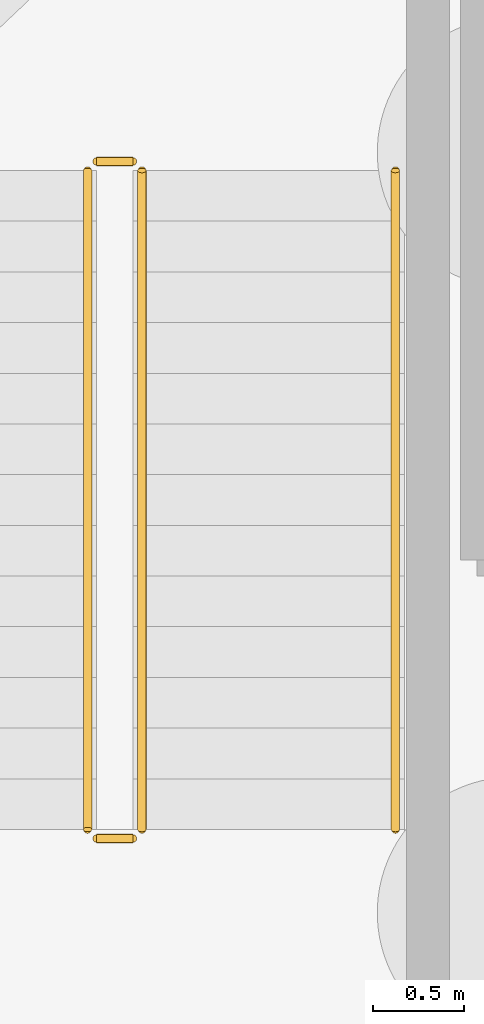
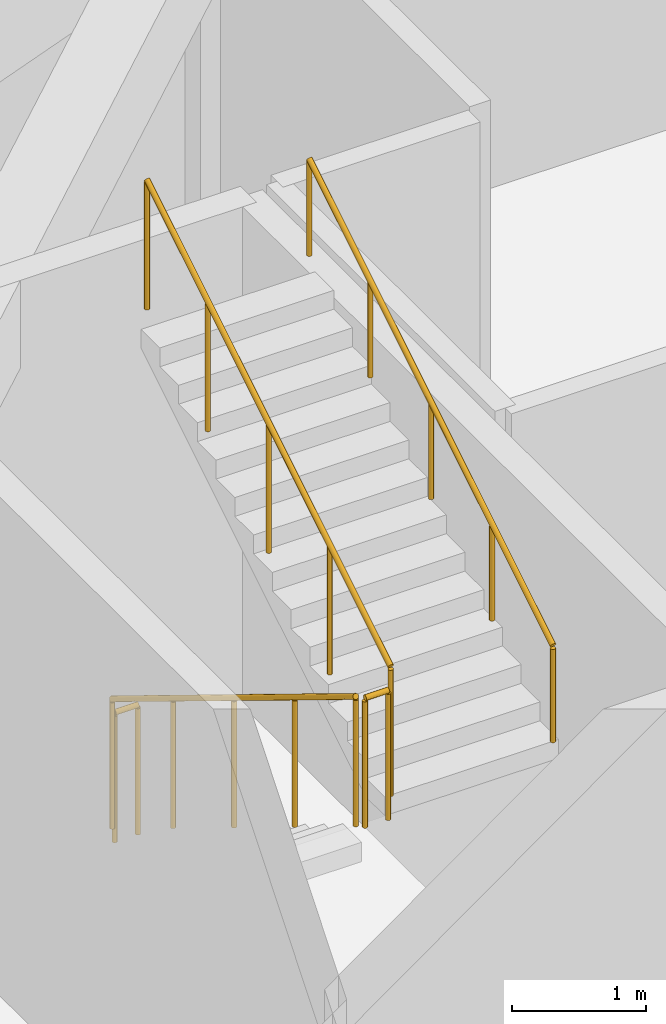
# One storey, part 10 of 11: 5 railings.
"""IFC4 building model written with IfcOpenShell, lengths in metres."""

from ifc_helpers import new_model, si_unit, direction, frame, origin, origin_2d, place, context, subcontext, project, spatial, circle, extrude, material, type_object, element, save


model = new_model("IFC4")

# Units and contexts
model_context = context("Model", 3, precision=1e-05, world=origin(), true_north=direction((0.0, 1.0)))
body_context = subcontext(model_context, "Body", "Model", "MODEL_VIEW")
ifc_project = project(units=[si_unit("LENGTHUNIT", "METRE"), si_unit("AREAUNIT", "SQUARE_METRE"), si_unit("VOLUMEUNIT", "CUBIC_METRE"), si_unit("PLANEANGLEUNIT", "RADIAN"), si_unit("MASSUNIT", "GRAM", prefix="KILO")], contexts=[model_context])

# Site, building, storey
site_placement = place(None, origin())
site = spatial("IfcSite", under=ifc_project, at=site_placement, CompositionType="ELEMENT")
building_placement = place(site_placement, origin())
building = spatial("IfcBuilding", under=site, at=building_placement, Name="Gaonmaruhae Medical Tower", CompositionType="ELEMENT")
storey_placement = place(building_placement, frame((0.0, 0.0, -9.60009765625)))
storey = spatial("IfcBuildingStorey", under=building, at=storey_placement, Name="B02", CompositionType="ELEMENT", Elevation=-9.60009765625)

# Railings
ifc_material_1 = material(Name="Stainless steel 304 handrail", Category="steel")
railing_type_1 = type_object("IfcRailingType", Name="HR-092 Continuous Stainless Steel Stair Handrail", PredefinedType="HANDRAIL", material=ifc_material_1)
railing_1_placement = place(storey_placement, frame((14.35009765625, 40.659912109375, 2.571533203125)))
element("IfcRailing", 1, at=railing_1_placement, inside=storey, type_object=railing_type_1, Name="B02 ST-05 stair handrail 2", PredefinedType="HANDRAIL", context=body_context, shape_type="SweptSolid", body=[
    extrude(circle(Radius=0.02392578125, at=origin_2d()), frame((0.0, 0.0, 0.8759765625), z_axis=(0.0, 0.852865859571, 0.52213008492), x_axis=(-1.0, 0.0, 0.0)), (0.0, 0.0, 1.0), 4.26806640625),
    extrude(circle(Radius=0.02099609375, at=origin_2d()), origin(), (0.0, 0.0, 1.0), 0.851806640625),
    extrude(circle(Radius=0.02099609375, at=origin_2d()), frame((0.0, 0.91015625, 0.55712890625)), (0.0, 0.0, 1.0), 0.851806640625),
    extrude(circle(Radius=0.02099609375, at=origin_2d()), frame((0.0, 1.820068359375, 1.1142578125)), (0.0, 0.0, 1.0), 0.851806640625),
    extrude(circle(Radius=0.02099609375, at=origin_2d()), frame((0.0, 2.72998046875, 1.67138671875)), (0.0, 0.0, 1.0), 0.851806640625),
    extrude(circle(Radius=0.02099609375, at=origin_2d()), frame((0.0, 3.64013671875, 2.228515625)), (0.0, 0.0, 1.0), 0.851806640625),
])
ifc_material_2 = material(Name="Stainless steel 304 balustrade", Category="steel")
railing_type_2 = type_object("IfcRailingType", Name="SG-112 Stair Well & Ramp Void Safety Balustrade", PredefinedType="BALUSTRADE", material=ifc_material_2)
railing_2_placement = place(storey_placement, frame((12.64990234375, 44.300048828125, 0.171630859375)))
element("IfcRailing", 2, at=railing_2_placement, inside=storey, type_object=railing_type_2, Name="B02 ST-05 stair guard 1", PredefinedType="BALUSTRADE", context=body_context, shape_type="SweptSolid", body=[
    extrude(circle(Radius=0.02392578125, at=origin_2d()), frame((0.0, 0.0, 1.17578125), z_axis=(0.0, -0.852865859571, 0.52213008492), x_axis=(1.0, 0.0, 0.0)), (0.0, 0.0, 1.0), 4.26806640625),
    extrude(circle(Radius=0.02099609375, at=origin_2d()), origin(), (0.0, 0.0, 1.0), 1.15185546875),
    extrude(circle(Radius=0.02099609375, at=origin_2d()), frame((0.0, -0.91015625, 0.55712890625)), (0.0, 0.0, 1.0), 1.15185546875),
    extrude(circle(Radius=0.02099609375, at=origin_2d()), frame((0.0, -1.820068359375, 1.1142578125)), (0.0, 0.0, 1.0), 1.15185546875),
    extrude(circle(Radius=0.02099609375, at=origin_2d()), frame((0.0, -2.72998046875, 1.67138671875)), (0.0, 0.0, 1.0), 1.15185546875),
    extrude(circle(Radius=0.02099609375, at=origin_2d()), frame((0.0, -3.64013671875, 2.228515625)), (0.0, 0.0, 1.0), 1.15185546875),
])
railing_3_placement = place(storey_placement, frame((12.699951171875, 40.610107421875, 2.400146484375)))
element("IfcRailing", 3, at=railing_3_placement, inside=storey, type_object=railing_type_2, Name="B02 ST-05 stair guard 2", PredefinedType="BALUSTRADE", context=body_context, shape_type="SweptSolid", body=[
    extrude(circle(Radius=0.02392578125, at=origin_2d()), frame((0.0, 0.0, 1.17578125), z_axis=(1.0, 0.0, 0.0), x_axis=(0.0, 1.0, 0.0)), (0.0, 0.0, 1.0), 0.199951171875),
    extrude(circle(Radius=0.02099609375, at=origin_2d()), origin(), (0.0, 0.0, 1.0), 1.15185546875),
    extrude(circle(Radius=0.02099609375, at=origin_2d()), frame((0.199951171875, 0.0, 0.0)), (0.0, 0.0, 1.0), 1.15185546875),
])
railing_4_placement = place(storey_placement, frame((12.949951171875, 40.659912109375, 2.571533203125)))
element("IfcRailing", 4, at=railing_4_placement, inside=storey, type_object=railing_type_2, Name="B02 ST-05 stair guard 3", PredefinedType="BALUSTRADE", context=body_context, shape_type="SweptSolid", body=[
    extrude(circle(Radius=0.02392578125, at=origin_2d()), frame((0.0, 0.0, 1.17578125), z_axis=(0.0, 0.852865859571, 0.52213008492), x_axis=(-1.0, 0.0, 0.0)), (0.0, 0.0, 1.0), 4.26806640625),
    extrude(circle(Radius=0.02099609375, at=origin_2d()), origin(), (0.0, 0.0, 1.0), 1.15185546875),
    extrude(circle(Radius=0.02099609375, at=origin_2d()), frame((0.0, 0.91015625, 0.55712890625)), (0.0, 0.0, 1.0), 1.15185546875),
    extrude(circle(Radius=0.02099609375, at=origin_2d()), frame((0.0, 1.820068359375, 1.1142578125)), (0.0, 0.0, 1.0), 1.15185546875),
    extrude(circle(Radius=0.02099609375, at=origin_2d()), frame((0.0, 2.72998046875, 1.67138671875)), (0.0, 0.0, 1.0), 1.15185546875),
    extrude(circle(Radius=0.02099609375, at=origin_2d()), frame((0.0, 3.64013671875, 2.228515625)), (0.0, 0.0, 1.0), 1.15185546875),
])
railing_5_placement = place(storey_placement, frame((12.699951171875, 44.35009765625, 0.0)))
element("IfcRailing", 5, at=railing_5_placement, inside=storey, type_object=railing_type_2, Name="B02 ST-05 stair guard 4", PredefinedType="BALUSTRADE", context=body_context, shape_type="SweptSolid", body=[
    extrude(circle(Radius=0.02392578125, at=origin_2d()), frame((0.0, 0.0, 1.17578125), z_axis=(1.0, 0.0, 0.0), x_axis=(0.0, 1.0, 0.0)), (0.0, 0.0, 1.0), 0.199951171875),
    extrude(circle(Radius=0.02099609375, at=origin_2d()), origin(), (0.0, 0.0, 1.0), 1.15185546875),
    extrude(circle(Radius=0.02099609375, at=origin_2d()), frame((0.199951171875, 0.0, 0.0)), (0.0, 0.0, 1.0), 1.15185546875),
])

save(model, "model.ifc")
